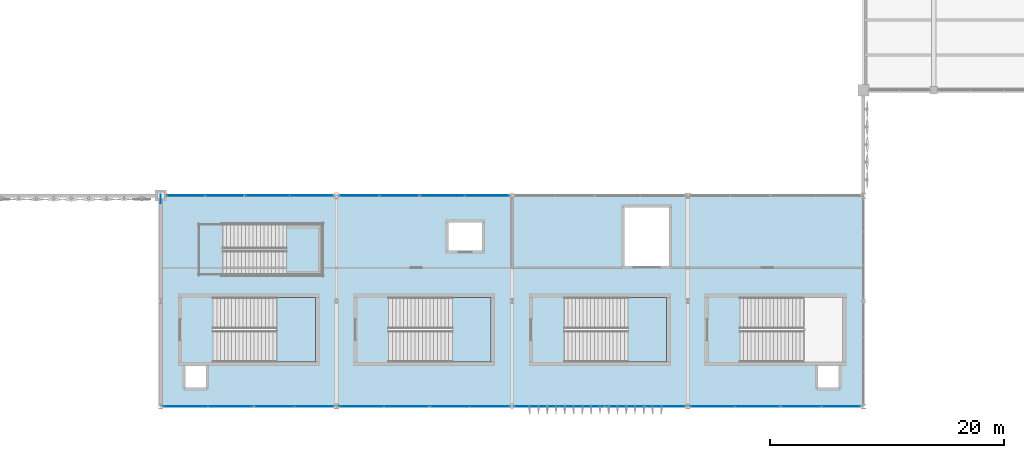
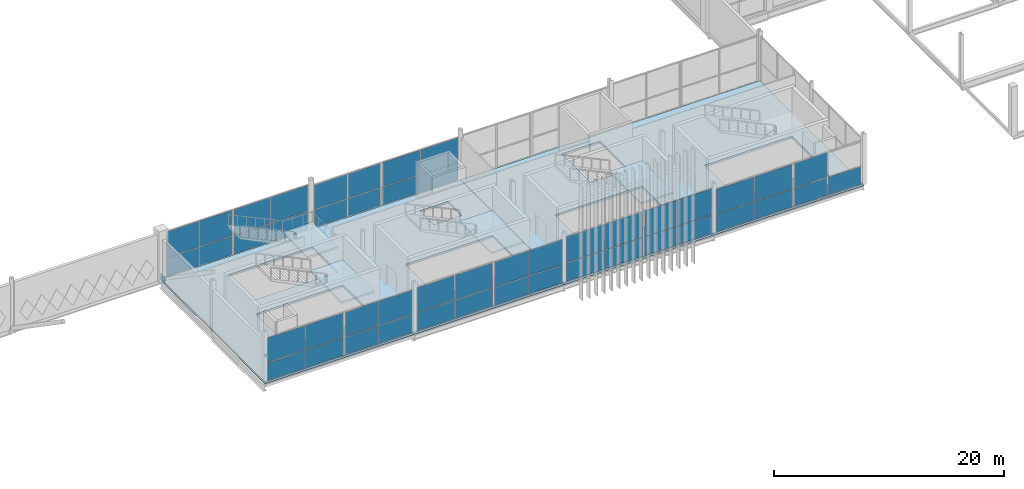
# One storey, part 70 of 119: 48 plates, 6 slabs, 16 elements without a shape of their own.
"""IFC4 building model written with IfcOpenShell, lengths in metres."""

from ifc_helpers import new_model, si_unit, direction, frame, origin, origin_2d, place, context, subcontext, project, spatial, polyline, rectangle, outline, extrude, material, layer, layer_set, type_object, element, aggregate, save


model = new_model("IFC4")

# Units and contexts
model_context = context("Model", 3, precision=1e-05, world=origin(), true_north=direction((0.0, 1.0)))
body_context = subcontext(model_context, "Body", "Model", "MODEL_VIEW")
ifc_project = project(units=[si_unit("LENGTHUNIT", "METRE"), si_unit("AREAUNIT", "SQUARE_METRE"), si_unit("VOLUMEUNIT", "CUBIC_METRE"), si_unit("PLANEANGLEUNIT", "RADIAN"), si_unit("MASSUNIT", "GRAM", prefix="KILO")], contexts=[model_context])

# Site, building, storey
site_placement = place(None, origin())
site = spatial("IfcSite", under=ifc_project, at=site_placement, CompositionType="ELEMENT")
building_placement = place(site_placement, origin())
building = spatial("IfcBuilding", under=site, at=building_placement, Name="Qamarlyn Nura Convention Centre", CompositionType="ELEMENT")
storey_placement = place(building_placement, frame((0.0, 0.0, 5.39990234375)))
storey = spatial("IfcBuildingStorey", under=building, at=storey_placement, Name="L01", CompositionType="ELEMENT", Elevation=5.39990234375)

# Curtain wall, plates
ifc_material_1 = material(Name="Double-silver low-E insulated glass", Category="glass")
ifc_layer_1 = layer(ifc_material_1, 0.179931640625, Name="CW-UNIT-01")
ifc_layer_set_1 = layer_set([ifc_layer_1], Name="Double-silver low-E insulated glass")
curtain_wall_type_1 = type_object("IfcCurtainWallType", Name="CW-UNIT-01", PredefinedType="NOTDEFINED", material=ifc_layer_set_1)
curtain_wall_1_placement = place(storey_placement, origin())
curtain_wall_1 = element("IfcCurtainWall", 1, at=curtain_wall_1_placement, inside=storey, type_object=curtain_wall_type_1, Name="L01 unitised curtain wall V1-INT-S1-1A", PredefinedType="NOTDEFINED")
ifc_layer_2 = layer(ifc_material_1, 0.028076171875, Name="CWP-VIS-28")
ifc_layer_set_2 = layer_set([ifc_layer_2], Name="Double-silver low-E insulated glass")
plate_type_1 = type_object("IfcPlateType", Name="CWP-VIS-28", PredefinedType="CURTAIN_PANEL", material=ifc_layer_set_2)
plate_1_placement = place(storey_placement, frame((62.158203125, 18.0, 0.06494140625), z_axis=(0.0, 0.0, 1.0), x_axis=(1.0, 0.0, 0.0)))
plate_1 = element("IfcPlate", 2, at=plate_1_placement, type_object=plate_type_1, Name="CW01 panel 1.1", PredefinedType="CURTAIN_PANEL", context=body_context, shape_type="SweptSolid", body=[
    extrude(rectangle(XDim=3.236083984375, YDim=0.028076171875, at=origin_2d()), origin(), (0.0, 0.0, 1.0), 1.945556640625),
])
plate_2_placement = place(storey_placement, frame((62.158203125, 18.0, 2.075439453125), z_axis=(0.0, 0.0, 1.0), x_axis=(1.0, 0.0, 0.0)))
plate_2 = element("IfcPlate", 3, at=plate_2_placement, type_object=plate_type_1, Name="CW01 panel 1.2", PredefinedType="CURTAIN_PANEL", context=body_context, shape_type="SweptSolid", body=[
    extrude(rectangle(XDim=3.236083984375, YDim=0.028076171875, at=origin_2d()), origin(), (0.0, 0.0, 1.0), 2.724609375),
])
plate_3_placement = place(storey_placement, frame((65.459228515625, 18.0, 0.06494140625), z_axis=(0.0, 0.0, 1.0), x_axis=(1.0, 0.0, 0.0)))
plate_3 = element("IfcPlate", 4, at=plate_3_placement, type_object=plate_type_1, Name="CW01 panel 2.1", PredefinedType="CURTAIN_PANEL", context=body_context, shape_type="SweptSolid", body=[
    extrude(rectangle(XDim=3.236083984375, YDim=0.028076171875, at=origin_2d()), origin(), (0.0, 0.0, 1.0), 1.945556640625),
])
plate_4_placement = place(storey_placement, frame((65.459228515625, 18.0, 2.075439453125), z_axis=(0.0, 0.0, 1.0), x_axis=(1.0, 0.0, 0.0)))
plate_4 = element("IfcPlate", 5, at=plate_4_placement, type_object=plate_type_1, Name="CW01 panel 2.2", PredefinedType="CURTAIN_PANEL", context=body_context, shape_type="SweptSolid", body=[
    extrude(rectangle(XDim=3.236083984375, YDim=0.028076171875, at=origin_2d()), origin(), (0.0, 0.0, 1.0), 2.724609375),
])
aggregate(curtain_wall_1, [plate_1, plate_2, plate_3, plate_4])

ifc_layer_3 = layer(ifc_material_1, 0.179931640625, Name="CW-UNIT-02")
ifc_layer_set_3 = layer_set([ifc_layer_3], Name="Double-silver low-E insulated glass")
curtain_wall_type_2 = type_object("IfcCurtainWallType", Name="CW-UNIT-02", PredefinedType="NOTDEFINED", material=ifc_layer_set_3)
curtain_wall_2_placement = place(storey_placement, origin())
curtain_wall_2 = element("IfcCurtainWall", 6, at=curtain_wall_2_placement, inside=storey, type_object=curtain_wall_type_2, Name="L01 unitised curtain wall V1-INT-S1-1B", PredefinedType="NOTDEFINED")
plate_5_placement = place(storey_placement, frame((69.118408203125, 18.0, 0.06005859375), z_axis=(0.0, 0.0, 1.0), x_axis=(1.0, 0.0, 0.0)))
plate_5 = element("IfcPlate", 7, at=plate_5_placement, type_object=plate_type_1, Name="CW02 panel 1.1", PredefinedType="CURTAIN_PANEL", context=body_context, shape_type="SweptSolid", body=[
    extrude(rectangle(XDim=3.671875, YDim=0.028076171875, at=origin_2d()), origin(), (0.0, 0.0, 1.0), 1.952880859375),
])
plate_6_placement = place(storey_placement, frame((69.118408203125, 18.0, 2.0732421875), z_axis=(0.0, 0.0, 1.0), x_axis=(1.0, 0.0, 0.0)))
plate_6 = element("IfcPlate", 8, at=plate_6_placement, type_object=plate_type_1, Name="CW02 panel 1.2", PredefinedType="CURTAIN_PANEL", context=body_context, shape_type="SweptSolid", body=[
    extrude(rectangle(XDim=3.671875, YDim=0.028076171875, at=origin_2d()), origin(), (0.0, 0.0, 1.0), 2.73193359375),
])
plate_7_placement = place(storey_placement, frame((72.85009765625, 18.0, 0.06005859375), z_axis=(0.0, 0.0, 1.0), x_axis=(1.0, 0.0, 0.0)))
plate_7 = element("IfcPlate", 9, at=plate_7_placement, type_object=plate_type_1, Name="CW02 panel 2.1", PredefinedType="CURTAIN_PANEL", context=body_context, shape_type="SweptSolid", body=[
    extrude(rectangle(XDim=3.671875, YDim=0.028076171875, at=origin_2d()), origin(), (0.0, 0.0, 1.0), 1.952880859375),
])
plate_8_placement = place(storey_placement, frame((72.85009765625, 18.0, 2.0732421875), z_axis=(0.0, 0.0, 1.0), x_axis=(1.0, 0.0, 0.0)))
plate_8 = element("IfcPlate", 10, at=plate_8_placement, type_object=plate_type_1, Name="CW02 panel 2.2", PredefinedType="CURTAIN_PANEL", context=body_context, shape_type="SweptSolid", body=[
    extrude(rectangle(XDim=3.671875, YDim=0.028076171875, at=origin_2d()), origin(), (0.0, 0.0, 1.0), 2.73193359375),
])
aggregate(curtain_wall_2, [plate_5, plate_6, plate_7, plate_8])

ifc_layer_4 = layer(ifc_material_1, 0.179931640625, Name="CW-UNIT-03")
ifc_layer_set_4 = layer_set([ifc_layer_4], Name="Double-silver low-E insulated glass")
curtain_wall_type_3 = type_object("IfcCurtainWallType", Name="CW-UNIT-03", PredefinedType="NOTDEFINED", material=ifc_layer_set_4)
curtain_wall_3_placement = place(storey_placement, origin())
curtain_wall_3 = element("IfcCurtainWall", 11, at=curtain_wall_3_placement, inside=storey, type_object=curtain_wall_type_3, Name="L01 unitised curtain wall V1-INT-S2-1A", PredefinedType="NOTDEFINED")
plate_9_placement = place(storey_placement, frame((76.97021484375, 18.0, 0.070068359375), z_axis=(0.0, 0.0, 1.0), x_axis=(1.0, 0.0, 0.0)))
plate_9 = element("IfcPlate", 12, at=plate_9_placement, type_object=plate_type_1, Name="CW03 panel 1.1", PredefinedType="CURTAIN_PANEL", context=body_context, shape_type="SweptSolid", body=[
    extrude(rectangle(XDim=3.29248046875, YDim=0.028076171875, at=origin_2d()), origin(), (0.0, 0.0, 1.0), 1.837890625),
])
plate_10_placement = place(storey_placement, frame((76.97021484375, 18.0, 1.97802734375), z_axis=(0.0, 0.0, 1.0), x_axis=(1.0, 0.0, 0.0)))
plate_10 = element("IfcPlate", 13, at=plate_10_placement, type_object=plate_type_1, Name="CW03 panel 1.2", PredefinedType="CURTAIN_PANEL", context=body_context, shape_type="SweptSolid", body=[
    extrude(rectangle(XDim=3.29248046875, YDim=0.028076171875, at=origin_2d()), origin(), (0.0, 0.0, 1.0), 2.577880859375),
])
plate_11_placement = place(storey_placement, frame((80.332763671875, 18.0, 0.070068359375), z_axis=(0.0, 0.0, 1.0), x_axis=(1.0, 0.0, 0.0)))
plate_11 = element("IfcPlate", 14, at=plate_11_placement, type_object=plate_type_1, Name="CW03 panel 2.1", PredefinedType="CURTAIN_PANEL", context=body_context, shape_type="SweptSolid", body=[
    extrude(rectangle(XDim=3.29248046875, YDim=0.028076171875, at=origin_2d()), origin(), (0.0, 0.0, 1.0), 1.837890625),
])
plate_12_placement = place(storey_placement, frame((80.332763671875, 18.0, 1.97802734375), z_axis=(0.0, 0.0, 1.0), x_axis=(1.0, 0.0, 0.0)))
plate_12 = element("IfcPlate", 15, at=plate_12_placement, type_object=plate_type_1, Name="CW03 panel 2.2", PredefinedType="CURTAIN_PANEL", context=body_context, shape_type="SweptSolid", body=[
    extrude(rectangle(XDim=3.29248046875, YDim=0.028076171875, at=origin_2d()), origin(), (0.0, 0.0, 1.0), 2.577880859375),
])
aggregate(curtain_wall_3, [plate_9, plate_10, plate_11, plate_12])

ifc_layer_5 = layer(ifc_material_1, 0.179931640625, Name="CW-UNIT-09")
ifc_layer_set_5 = layer_set([ifc_layer_5], Name="Double-silver low-E insulated glass")
curtain_wall_type_4 = type_object("IfcCurtainWallType", Name="CW-UNIT-09", PredefinedType="NOTDEFINED", material=ifc_layer_set_5)
curtain_wall_4_placement = place(storey_placement, origin())
curtain_wall_4 = element("IfcCurtainWall", 16, at=curtain_wall_4_placement, inside=storey, type_object=curtain_wall_type_4, Name="L01 unitised curtain wall SF-S1-1A", PredefinedType="NOTDEFINED")
plate_13_placement = place(storey_placement, frame((73.089111328125, 0.0, 0.070068359375), z_axis=(0.0, 0.0, 1.0), x_axis=(-1.0, 0.0, 0.0)))
plate_13 = element("IfcPlate", 17, at=plate_13_placement, type_object=plate_type_1, Name="CW09 panel 1.1", PredefinedType="CURTAIN_PANEL", context=body_context, shape_type="SweptSolid", body=[
    extrude(rectangle(XDim=3.312744140625, YDim=0.028076171875, at=origin_2d()), origin(), (0.0, 0.0, 1.0), 1.837890625),
])
plate_14_placement = place(storey_placement, frame((73.089111328125, 0.0, 1.97802734375), z_axis=(0.0, 0.0, 1.0), x_axis=(-1.0, 0.0, 0.0)))
plate_14 = element("IfcPlate", 18, at=plate_14_placement, type_object=plate_type_1, Name="CW09 panel 1.2", PredefinedType="CURTAIN_PANEL", context=body_context, shape_type="SweptSolid", body=[
    extrude(rectangle(XDim=3.312744140625, YDim=0.028076171875, at=origin_2d()), origin(), (0.0, 0.0, 1.0), 2.577880859375),
])
plate_15_placement = place(storey_placement, frame((69.70654296875, 0.0, 0.070068359375), z_axis=(0.0, 0.0, 1.0), x_axis=(-1.0, 0.0, 0.0)))
plate_15 = element("IfcPlate", 19, at=plate_15_placement, type_object=plate_type_1, Name="CW09 panel 2.1", PredefinedType="CURTAIN_PANEL", context=body_context, shape_type="SweptSolid", body=[
    extrude(rectangle(XDim=3.312744140625, YDim=0.028076171875, at=origin_2d()), origin(), (0.0, 0.0, 1.0), 1.837890625),
])
plate_16_placement = place(storey_placement, frame((69.70654296875, 0.0, 1.97802734375), z_axis=(0.0, 0.0, 1.0), x_axis=(-1.0, 0.0, 0.0)))
plate_16 = element("IfcPlate", 20, at=plate_16_placement, type_object=plate_type_1, Name="CW09 panel 2.2", PredefinedType="CURTAIN_PANEL", context=body_context, shape_type="SweptSolid", body=[
    extrude(rectangle(XDim=3.312744140625, YDim=0.028076171875, at=origin_2d()), origin(), (0.0, 0.0, 1.0), 2.577880859375),
])
aggregate(curtain_wall_4, [plate_13, plate_14, plate_15, plate_16])

ifc_layer_6 = layer(ifc_material_1, 0.179931640625, Name="CW-UNIT-10")
ifc_layer_set_6 = layer_set([ifc_layer_6], Name="Double-silver low-E insulated glass")
curtain_wall_type_5 = type_object("IfcCurtainWallType", Name="CW-UNIT-10", PredefinedType="NOTDEFINED", material=ifc_layer_set_6)
curtain_wall_5_placement = place(storey_placement, origin())
curtain_wall_5 = element("IfcCurtainWall", 21, at=curtain_wall_5_placement, inside=storey, type_object=curtain_wall_type_5, Name="L01 unitised curtain wall SF-S1-1B", PredefinedType="NOTDEFINED")
plate_17_placement = place(storey_placement, frame((65.95556640625, 0.0, 0.06494140625), z_axis=(0.0, 0.0, 1.0), x_axis=(-1.0, 0.0, 0.0)))
plate_17 = element("IfcPlate", 22, at=plate_17_placement, type_object=plate_type_1, Name="CW10 panel 1.1", PredefinedType="CURTAIN_PANEL", context=body_context, shape_type="SweptSolid", body=[
    extrude(rectangle(XDim=3.759033203125, YDim=0.028076171875, at=origin_2d()), origin(), (0.0, 0.0, 1.0), 1.845458984375),
])
plate_18_placement = place(storey_placement, frame((65.95556640625, 0.0, 1.9755859375), z_axis=(0.0, 0.0, 1.0), x_axis=(-1.0, 0.0, 0.0)))
plate_18 = element("IfcPlate", 23, at=plate_18_placement, type_object=plate_type_1, Name="CW10 panel 1.2", PredefinedType="CURTAIN_PANEL", context=body_context, shape_type="SweptSolid", body=[
    extrude(rectangle(XDim=3.759033203125, YDim=0.028076171875, at=origin_2d()), origin(), (0.0, 0.0, 1.0), 2.58544921875),
])
plate_19_placement = place(storey_placement, frame((62.131591796875, 0.0, 0.06494140625), z_axis=(0.0, 0.0, 1.0), x_axis=(-1.0, 0.0, 0.0)))
plate_19 = element("IfcPlate", 24, at=plate_19_placement, type_object=plate_type_1, Name="CW10 panel 2.1", PredefinedType="CURTAIN_PANEL", context=body_context, shape_type="SweptSolid", body=[
    extrude(rectangle(XDim=3.759033203125, YDim=0.028076171875, at=origin_2d()), origin(), (0.0, 0.0, 1.0), 1.845458984375),
])
plate_20_placement = place(storey_placement, frame((62.131591796875, 0.0, 1.9755859375), z_axis=(0.0, 0.0, 1.0), x_axis=(-1.0, 0.0, 0.0)))
plate_20 = element("IfcPlate", 25, at=plate_20_placement, type_object=plate_type_1, Name="CW10 panel 2.2", PredefinedType="CURTAIN_PANEL", context=body_context, shape_type="SweptSolid", body=[
    extrude(rectangle(XDim=3.759033203125, YDim=0.028076171875, at=origin_2d()), origin(), (0.0, 0.0, 1.0), 2.58544921875),
])
aggregate(curtain_wall_5, [plate_17, plate_18, plate_19, plate_20])

ifc_layer_7 = layer(ifc_material_1, 0.179931640625, Name="CW-UNIT-11")
ifc_layer_set_7 = layer_set([ifc_layer_7], Name="Double-silver low-E insulated glass")
curtain_wall_type_6 = type_object("IfcCurtainWallType", Name="CW-UNIT-11", PredefinedType="NOTDEFINED", material=ifc_layer_set_7)
curtain_wall_6_placement = place(storey_placement, origin())
curtain_wall_6 = element("IfcCurtainWall", 26, at=curtain_wall_6_placement, inside=storey, type_object=curtain_wall_type_6, Name="L01 unitised curtain wall SF-S2-1A", PredefinedType="NOTDEFINED")
plate_21_placement = place(storey_placement, frame((88.09716796875, 0.0, 0.06005859375), z_axis=(0.0, 0.0, 1.0), x_axis=(-1.0, 0.0, 0.0)))
plate_21 = element("IfcPlate", 27, at=plate_21_placement, type_object=plate_type_1, Name="CW11 panel 1.1", PredefinedType="CURTAIN_PANEL", context=body_context, shape_type="SweptSolid", body=[
    extrude(rectangle(XDim=3.329833984375, YDim=0.028076171875, at=origin_2d()), origin(), (0.0, 0.0, 1.0), 1.884033203125),
])
plate_22_placement = place(storey_placement, frame((88.09716796875, 0.0, 2.00390625), z_axis=(0.0, 0.0, 1.0), x_axis=(-1.0, 0.0, 0.0)))
plate_22 = element("IfcPlate", 28, at=plate_22_placement, type_object=plate_type_1, Name="CW11 panel 1.2", PredefinedType="CURTAIN_PANEL", context=body_context, shape_type="SweptSolid", body=[
    extrude(rectangle(XDim=3.329833984375, YDim=0.028076171875, at=origin_2d()), origin(), (0.0, 0.0, 1.0), 2.635009765625),
])
plate_23_placement = place(storey_placement, frame((84.70751953125, 0.0, 0.06005859375), z_axis=(0.0, 0.0, 1.0), x_axis=(-1.0, 0.0, 0.0)))
plate_23 = element("IfcPlate", 29, at=plate_23_placement, type_object=plate_type_1, Name="CW11 panel 2.1", PredefinedType="CURTAIN_PANEL", context=body_context, shape_type="SweptSolid", body=[
    extrude(rectangle(XDim=3.329833984375, YDim=0.028076171875, at=origin_2d()), origin(), (0.0, 0.0, 1.0), 1.884033203125),
])
plate_24_placement = place(storey_placement, frame((84.70751953125, 0.0, 2.00390625), z_axis=(0.0, 0.0, 1.0), x_axis=(-1.0, 0.0, 0.0)))
plate_24 = element("IfcPlate", 30, at=plate_24_placement, type_object=plate_type_1, Name="CW11 panel 2.2", PredefinedType="CURTAIN_PANEL", context=body_context, shape_type="SweptSolid", body=[
    extrude(rectangle(XDim=3.329833984375, YDim=0.028076171875, at=origin_2d()), origin(), (0.0, 0.0, 1.0), 2.635009765625),
])
aggregate(curtain_wall_6, [plate_21, plate_22, plate_23, plate_24])

ifc_layer_8 = layer(ifc_material_1, 0.179931640625, Name="CW-UNIT-13")
ifc_layer_set_8 = layer_set([ifc_layer_8], Name="Double-silver low-E insulated glass")
curtain_wall_type_7 = type_object("IfcCurtainWallType", Name="CW-UNIT-13", PredefinedType="NOTDEFINED", material=ifc_layer_set_8)
curtain_wall_7_placement = place(storey_placement, origin())
curtain_wall_7 = element("IfcCurtainWall", 31, at=curtain_wall_7_placement, inside=storey, type_object=curtain_wall_type_7, Name="L01 unitised curtain wall SF-S3-1A", PredefinedType="NOTDEFINED")
plate_25_placement = place(storey_placement, frame((103.087158203125, 0.0, 0.06494140625), z_axis=(0.0, 0.0, 1.0), x_axis=(-1.0, 0.0, 0.0)))
plate_25 = element("IfcPlate", 32, at=plate_25_placement, type_object=plate_type_1, Name="CW13 panel 1.1", PredefinedType="CURTAIN_PANEL", context=body_context, shape_type="SweptSolid", body=[
    extrude(rectangle(XDim=3.32177734375, YDim=0.028076171875, at=origin_2d()), origin(), (0.0, 0.0, 1.0), 1.945556640625),
])
plate_26_placement = place(storey_placement, frame((103.087158203125, 0.0, 2.075439453125), z_axis=(0.0, 0.0, 1.0), x_axis=(-1.0, 0.0, 0.0)))
plate_26 = element("IfcPlate", 33, at=plate_26_placement, type_object=plate_type_1, Name="CW13 panel 1.2", PredefinedType="CURTAIN_PANEL", context=body_context, shape_type="SweptSolid", body=[
    extrude(rectangle(XDim=3.32177734375, YDim=0.028076171875, at=origin_2d()), origin(), (0.0, 0.0, 1.0), 2.724609375),
])
plate_27_placement = place(storey_placement, frame((99.700439453125, 0.0, 0.06494140625), z_axis=(0.0, 0.0, 1.0), x_axis=(-1.0, 0.0, 0.0)))
plate_27 = element("IfcPlate", 34, at=plate_27_placement, type_object=plate_type_1, Name="CW13 panel 2.1", PredefinedType="CURTAIN_PANEL", context=body_context, shape_type="SweptSolid", body=[
    extrude(rectangle(XDim=3.32177734375, YDim=0.028076171875, at=origin_2d()), origin(), (0.0, 0.0, 1.0), 1.945556640625),
])
plate_28_placement = place(storey_placement, frame((99.700439453125, 0.0, 2.075439453125), z_axis=(0.0, 0.0, 1.0), x_axis=(-1.0, 0.0, 0.0)))
plate_28 = element("IfcPlate", 35, at=plate_28_placement, type_object=plate_type_1, Name="CW13 panel 2.2", PredefinedType="CURTAIN_PANEL", context=body_context, shape_type="SweptSolid", body=[
    extrude(rectangle(XDim=3.32177734375, YDim=0.028076171875, at=origin_2d()), origin(), (0.0, 0.0, 1.0), 2.724609375),
])
aggregate(curtain_wall_7, [plate_25, plate_26, plate_27, plate_28])

ifc_layer_9 = layer(ifc_material_1, 0.179931640625, Name="CW-UNIT-14")
ifc_layer_set_9 = layer_set([ifc_layer_9], Name="Double-silver low-E insulated glass")
curtain_wall_type_8 = type_object("IfcCurtainWallType", Name="CW-UNIT-14", PredefinedType="NOTDEFINED", material=ifc_layer_set_9)
curtain_wall_8_placement = place(storey_placement, origin())
curtain_wall_8 = element("IfcCurtainWall", 36, at=curtain_wall_8_placement, inside=storey, type_object=curtain_wall_type_8, Name="L01 unitised curtain wall SF-S3-1B", PredefinedType="NOTDEFINED")
plate_29_placement = place(storey_placement, frame((95.950439453125, 0.0, 0.06005859375), z_axis=(0.0, 0.0, 1.0), x_axis=(-1.0, 0.0, 0.0)))
plate_29 = element("IfcPlate", 37, at=plate_29_placement, type_object=plate_type_1, Name="CW14 panel 1.1", PredefinedType="CURTAIN_PANEL", context=body_context, shape_type="SweptSolid", body=[
    extrude(rectangle(XDim=3.768310546875, YDim=0.028076171875, at=origin_2d()), origin(), (0.0, 0.0, 1.0), 1.952880859375),
])
plate_30_placement = place(storey_placement, frame((95.950439453125, 0.0, 2.0732421875), z_axis=(0.0, 0.0, 1.0), x_axis=(-1.0, 0.0, 0.0)))
plate_30 = element("IfcPlate", 38, at=plate_30_placement, type_object=plate_type_1, Name="CW14 panel 1.2", PredefinedType="CURTAIN_PANEL", context=body_context, shape_type="SweptSolid", body=[
    extrude(rectangle(XDim=3.768310546875, YDim=0.028076171875, at=origin_2d()), origin(), (0.0, 0.0, 1.0), 2.73193359375),
])
plate_31_placement = place(storey_placement, frame((92.1220703125, 0.0, 0.06005859375), z_axis=(0.0, 0.0, 1.0), x_axis=(-1.0, 0.0, 0.0)))
plate_31 = element("IfcPlate", 39, at=plate_31_placement, type_object=plate_type_1, Name="CW14 panel 2.1", PredefinedType="CURTAIN_PANEL", context=body_context, shape_type="SweptSolid", body=[
    extrude(rectangle(XDim=3.768310546875, YDim=0.028076171875, at=origin_2d()), origin(), (0.0, 0.0, 1.0), 1.952880859375),
])
plate_32_placement = place(storey_placement, frame((92.1220703125, 0.0, 2.0732421875), z_axis=(0.0, 0.0, 1.0), x_axis=(-1.0, 0.0, 0.0)))
plate_32 = element("IfcPlate", 40, at=plate_32_placement, type_object=plate_type_1, Name="CW14 panel 2.2", PredefinedType="CURTAIN_PANEL", context=body_context, shape_type="SweptSolid", body=[
    extrude(rectangle(XDim=3.768310546875, YDim=0.028076171875, at=origin_2d()), origin(), (0.0, 0.0, 1.0), 2.73193359375),
])
aggregate(curtain_wall_8, [plate_29, plate_30, plate_31, plate_32])

curtain_wall_9_placement = place(storey_placement, origin())
curtain_wall_9 = element("IfcCurtainWall", 41, at=curtain_wall_9_placement, inside=storey, type_object=curtain_wall_type_4, Name="L01 unitised curtain wall SF-S4-1A", PredefinedType="NOTDEFINED")
plate_33_placement = place(storey_placement, frame((118.089111328125, 0.0, 0.070068359375), z_axis=(0.0, 0.0, 1.0), x_axis=(-1.0, 0.0, 0.0)))
plate_33 = element("IfcPlate", 42, at=plate_33_placement, type_object=plate_type_1, Name="CW09 panel 1.1", PredefinedType="CURTAIN_PANEL", context=body_context, shape_type="SweptSolid", body=[
    extrude(rectangle(XDim=3.312744140625, YDim=0.028076171875, at=origin_2d()), origin(), (0.0, 0.0, 1.0), 1.837890625),
])
plate_34_placement = place(storey_placement, frame((114.70654296875, 0.0, 0.070068359375), z_axis=(0.0, 0.0, 1.0), x_axis=(-1.0, 0.0, 0.0)))
plate_34 = element("IfcPlate", 43, at=plate_34_placement, type_object=plate_type_1, Name="CW09 panel 2.1", PredefinedType="CURTAIN_PANEL", context=body_context, shape_type="SweptSolid", body=[
    extrude(rectangle(XDim=3.312744140625, YDim=0.028076171875, at=origin_2d()), origin(), (0.0, 0.0, 1.0), 1.837890625),
])
plate_35_placement = place(storey_placement, frame((114.70654296875, 0.0, 1.97802734375), z_axis=(0.0, 0.0, 1.0), x_axis=(-1.0, 0.0, 0.0)))
plate_35 = element("IfcPlate", 44, at=plate_35_placement, type_object=plate_type_1, Name="CW09 panel 2.2", PredefinedType="CURTAIN_PANEL", context=body_context, shape_type="SweptSolid", body=[
    extrude(rectangle(XDim=3.312744140625, YDim=0.028076171875, at=origin_2d()), origin(), (0.0, 0.0, 1.0), 2.577880859375),
])
aggregate(curtain_wall_9, [plate_33, plate_34, plate_35])

ifc_layer_10 = layer(ifc_material_1, 0.179931640625, Name="CW-UNIT-04")
ifc_layer_set_10 = layer_set([ifc_layer_10], Name="Double-silver low-E insulated glass")
curtain_wall_type_9 = type_object("IfcCurtainWallType", Name="CW-UNIT-04", PredefinedType="NOTDEFINED", material=ifc_layer_set_10)
curtain_wall_10_placement = place(storey_placement, origin())
curtain_wall_10 = element("IfcCurtainWall", 45, at=curtain_wall_10_placement, inside=storey, type_object=curtain_wall_type_9, Name="L01 unitised curtain wall V1-INT-S2-1B", PredefinedType="NOTDEFINED")
ifc_layer_11 = layer(ifc_material_1, 0.031982421875, Name="CWP-VIS-32")
ifc_layer_set_11 = layer_set([ifc_layer_11], Name="Double-silver low-E insulated glass")
plate_type_2 = type_object("IfcPlateType", Name="CWP-VIS-32", PredefinedType="CURTAIN_PANEL", material=ifc_layer_set_11)
plate_36_placement = place(storey_placement, frame((84.062255859375, 18.0, 0.06494140625), z_axis=(0.0, 0.0, 1.0), x_axis=(1.0, 0.0, 0.0)))
plate_36 = element("IfcPlate", 46, at=plate_36_placement, type_object=plate_type_2, Name="CW04 panel 1.1", PredefinedType="CURTAIN_PANEL", context=body_context, shape_type="SweptSolid", body=[
    extrude(rectangle(XDim=3.736328125, YDim=0.031982421875, at=origin_2d()), origin(), (0.0, 0.0, 1.0), 1.845458984375),
])
plate_37_placement = place(storey_placement, frame((84.062255859375, 18.0, 1.9755859375), z_axis=(0.0, 0.0, 1.0), x_axis=(1.0, 0.0, 0.0)))
plate_37 = element("IfcPlate", 47, at=plate_37_placement, type_object=plate_type_2, Name="CW04 panel 1.2", PredefinedType="CURTAIN_PANEL", context=body_context, shape_type="SweptSolid", body=[
    extrude(rectangle(XDim=3.736328125, YDim=0.031982421875, at=origin_2d()), origin(), (0.0, 0.0, 1.0), 2.58544921875),
])
plate_38_placement = place(storey_placement, frame((87.863525390625, 18.0, 0.06494140625), z_axis=(0.0, 0.0, 1.0), x_axis=(1.0, 0.0, 0.0)))
plate_38 = element("IfcPlate", 48, at=plate_38_placement, type_object=plate_type_2, Name="CW04 panel 2.1", PredefinedType="CURTAIN_PANEL", context=body_context, shape_type="SweptSolid", body=[
    extrude(rectangle(XDim=3.736328125, YDim=0.031982421875, at=origin_2d()), origin(), (0.0, 0.0, 1.0), 1.845458984375),
])
plate_39_placement = place(storey_placement, frame((87.863525390625, 18.0, 1.9755859375), z_axis=(0.0, 0.0, 1.0), x_axis=(1.0, 0.0, 0.0)))
plate_39 = element("IfcPlate", 49, at=plate_39_placement, type_object=plate_type_2, Name="CW04 panel 2.2", PredefinedType="CURTAIN_PANEL", context=body_context, shape_type="SweptSolid", body=[
    extrude(rectangle(XDim=3.736328125, YDim=0.031982421875, at=origin_2d()), origin(), (0.0, 0.0, 1.0), 2.58544921875),
])
aggregate(curtain_wall_10, [plate_36, plate_37, plate_38, plate_39])

ifc_layer_12 = layer(ifc_material_1, 0.179931640625, Name="CW-UNIT-12")
ifc_layer_set_12 = layer_set([ifc_layer_12], Name="Double-silver low-E insulated glass")
curtain_wall_type_10 = type_object("IfcCurtainWallType", Name="CW-UNIT-12", PredefinedType="NOTDEFINED", material=ifc_layer_set_12)
curtain_wall_11_placement = place(storey_placement, origin())
curtain_wall_11 = element("IfcCurtainWall", 50, at=curtain_wall_11_placement, inside=storey, type_object=curtain_wall_type_10, Name="L01 unitised curtain wall SF-S2-1B", PredefinedType="NOTDEFINED")
plate_40_placement = place(storey_placement, frame((80.95556640625, 0.0, 0.0703125), z_axis=(0.0, 0.0, 1.0), x_axis=(-1.0, 0.0, 0.0)))
plate_40 = element("IfcPlate", 51, at=plate_40_placement, type_object=plate_type_2, Name="CW12 panel 1.1", PredefinedType="CURTAIN_PANEL", context=body_context, shape_type="SweptSolid", body=[
    extrude(rectangle(XDim=3.75390625, YDim=0.031982421875, at=origin_2d()), origin(), (0.0, 0.0, 1.0), 1.868896484375),
])
plate_41_placement = place(storey_placement, frame((80.95556640625, 0.0, 2.009033203125), z_axis=(0.0, 0.0, 1.0), x_axis=(-1.0, 0.0, 0.0)))
plate_41 = element("IfcPlate", 52, at=plate_41_placement, type_object=plate_type_2, Name="CW12 panel 1.2", PredefinedType="CURTAIN_PANEL", context=body_context, shape_type="SweptSolid", body=[
    extrude(rectangle(XDim=3.75390625, YDim=0.031982421875, at=origin_2d()), origin(), (0.0, 0.0, 1.0), 2.6201171875),
])
plate_42_placement = place(storey_placement, frame((77.131591796875, 0.0, 0.0703125), z_axis=(0.0, 0.0, 1.0), x_axis=(-1.0, 0.0, 0.0)))
plate_42 = element("IfcPlate", 53, at=plate_42_placement, type_object=plate_type_2, Name="CW12 panel 2.1", PredefinedType="CURTAIN_PANEL", context=body_context, shape_type="SweptSolid", body=[
    extrude(rectangle(XDim=3.75390625, YDim=0.031982421875, at=origin_2d()), origin(), (0.0, 0.0, 1.0), 1.868896484375),
])
plate_43_placement = place(storey_placement, frame((77.131591796875, 0.0, 2.009033203125), z_axis=(0.0, 0.0, 1.0), x_axis=(-1.0, 0.0, 0.0)))
plate_43 = element("IfcPlate", 54, at=plate_43_placement, type_object=plate_type_2, Name="CW12 panel 2.2", PredefinedType="CURTAIN_PANEL", context=body_context, shape_type="SweptSolid", body=[
    extrude(rectangle(XDim=3.75390625, YDim=0.031982421875, at=origin_2d()), origin(), (0.0, 0.0, 1.0), 2.6201171875),
])
aggregate(curtain_wall_11, [plate_40, plate_41, plate_42, plate_43])

curtain_wall_12_placement = place(storey_placement, origin())
curtain_wall_12 = element("IfcCurtainWall", 55, at=curtain_wall_12_placement, inside=storey, type_object=curtain_wall_type_5, Name="L01 unitised curtain wall SF-S4-1B", PredefinedType="NOTDEFINED")
plate_44_placement = place(storey_placement, frame((110.95556640625, 0.0, 0.06494140625), z_axis=(0.0, 0.0, 1.0), x_axis=(-1.0, 0.0, 0.0)))
plate_44 = element("IfcPlate", 56, at=plate_44_placement, type_object=plate_type_2, Name="CW10 panel 1.1", PredefinedType="CURTAIN_PANEL", context=body_context, shape_type="SweptSolid", body=[
    extrude(rectangle(XDim=3.759033203125, YDim=0.031982421875, at=origin_2d()), origin(), (0.0, 0.0, 1.0), 1.845458984375),
])
plate_45_placement = place(storey_placement, frame((110.95556640625, 0.0, 1.9755859375), z_axis=(0.0, 0.0, 1.0), x_axis=(-1.0, 0.0, 0.0)))
plate_45 = element("IfcPlate", 57, at=plate_45_placement, type_object=plate_type_2, Name="CW10 panel 1.2", PredefinedType="CURTAIN_PANEL", context=body_context, shape_type="SweptSolid", body=[
    extrude(rectangle(XDim=3.759033203125, YDim=0.031982421875, at=origin_2d()), origin(), (0.0, 0.0, 1.0), 2.58544921875),
])
plate_46_placement = place(storey_placement, frame((107.131591796875, 0.0, 0.06494140625), z_axis=(0.0, 0.0, 1.0), x_axis=(-1.0, 0.0, 0.0)))
plate_46 = element("IfcPlate", 58, at=plate_46_placement, type_object=plate_type_2, Name="CW10 panel 2.1", PredefinedType="CURTAIN_PANEL", context=body_context, shape_type="SweptSolid", body=[
    extrude(rectangle(XDim=3.759033203125, YDim=0.031982421875, at=origin_2d()), origin(), (0.0, 0.0, 1.0), 1.845458984375),
])
plate_47_placement = place(storey_placement, frame((107.131591796875, 0.0, 1.9755859375), z_axis=(0.0, 0.0, 1.0), x_axis=(-1.0, 0.0, 0.0)))
plate_47 = element("IfcPlate", 59, at=plate_47_placement, type_object=plate_type_2, Name="CW10 panel 2.2", PredefinedType="CURTAIN_PANEL", context=body_context, shape_type="SweptSolid", body=[
    extrude(rectangle(XDim=3.759033203125, YDim=0.031982421875, at=origin_2d()), origin(), (0.0, 0.0, 1.0), 2.58544921875),
])
aggregate(curtain_wall_12, [plate_44, plate_45, plate_46, plate_47])

# Plate
ifc_material_2 = material(Name="Structural steel ASTM A572 Grade 50", Category="steel")
ifc_layer_13 = layer(ifc_material_2, 0.035888671875, Name="GP-SN1")
ifc_layer_set_13 = layer_set([ifc_layer_13], Name="Structural steel ASTM A572 Grade 50")
plate_type_3 = type_object("IfcPlateType", Name="GP-SN1", PredefinedType="USERDEFINED", material=ifc_layer_set_13)
plate_48_placement = place(storey_placement, frame((60.0, 17.719970703125, -0.1669921875), z_axis=(0.0, 0.0, 1.0), x_axis=(0.0, 1.0, 0.0)))
element("IfcPlate", 60, at=plate_48_placement, inside=storey, type_object=plate_type_3, Name="Tree strut gusset plate S-6-B", ObjectType="GUSSET PLATE", PredefinedType="USERDEFINED", context=body_context, shape_type="SweptSolid", body=[
    extrude(rectangle(XDim=0.719970703125, YDim=0.035888671875, at=origin_2d()), origin(), (0.0, 0.0, 1.0), 0.719970703125),
])

# Slabs
ifc_material_3 = material(Name="Concrete C40/50", Category="concrete")
ifc_layer_14 = layer(ifc_material_3, 0.219970703125, Name="SL-L01")
ifc_layer_set_14 = layer_set([ifc_layer_14], Name="Concrete C40/50")
slab_type_1 = type_object("IfcSlabType", Name="SL-L01", PredefinedType="FLOOR", material=ifc_layer_set_14)
slab_1_placement = place(storey_placement, frame((0.0, 0.0, -0.219970703125)))
element("IfcSlab", 61, at=slab_1_placement, inside=storey, type_object=slab_type_1, Name="L01 floor slab L01-SF1", PredefinedType="FLOOR", context=body_context, shape_type="SweptSolid", body=[
    extrude(outline(polyline([(60.0, 18.0), (90.0, 18.0), (90.0, 0.0), (60.0, 0.0), (60.0, 18.0)]), holes=[polyline([(62.0, 3.5), (62.0, 1.5), (64.0, 1.5), (64.0, 3.5), (62.0, 3.5)]), polyline([(64.4599609375, 3.800048828125), (73.199951171875, 3.800048828125), (73.199951171875, 9.300048828125), (64.4599609375, 9.300048828125), (64.4599609375, 3.800048828125)]), polyline([(79.4599609375, 3.800048828125), (88.199951171875, 3.800048828125), (88.199951171875, 9.300048828125), (79.4599609375, 9.300048828125), (79.4599609375, 3.800048828125)]), polyline([(65.300048828125, 11.199951171875), (73.800048828125, 11.199951171875), (73.800048828125, 15.580078125), (65.300048828125, 15.580078125), (65.300048828125, 11.199951171875)]), polyline([(87.425048828125, 13.300048828125), (87.425048828125, 15.699951171875), (84.574951171875, 15.699951171875), (84.574951171875, 13.300048828125), (87.425048828125, 13.300048828125)])]), origin(), (0.0, 0.0, 1.0), 0.219970703125),
])
slab_2_placement = place(storey_placement, frame((0.0, 0.0, -0.219970703125)))
element("IfcSlab", 62, at=slab_2_placement, inside=storey, type_object=slab_type_1, Name="L01 floor slab L01-SF2", PredefinedType="FLOOR", context=body_context, shape_type="SweptSolid", body=[
    extrude(outline(polyline([(90.0, 18.0), (120.0, 18.0), (120.0, 0.0), (90.0, 0.0), (90.0, 18.0)]), holes=[polyline([(116.0, 3.5), (116.0, 1.5), (118.0, 1.5), (118.0, 3.5), (116.0, 3.5)]), polyline([(94.4599609375, 3.800048828125), (103.199951171875, 3.800048828125), (103.199951171875, 9.300048828125), (94.4599609375, 9.300048828125), (94.4599609375, 3.800048828125)]), polyline([(109.4599609375, 9.300048828125), (109.4599609375, 3.800048828125), (118.199951171875, 3.800048828125), (118.199951171875, 9.300048828125), (109.4599609375, 9.300048828125)]), polyline([(103.39990234375, 12.0), (103.39990234375, 17.0), (99.60009765625, 17.0), (99.60009765625, 12.0), (103.39990234375, 12.0)])]), origin(), (0.0, 0.0, 1.0), 0.219970703125),
])

# Stair, slab
stair_type_1 = type_object("IfcStairType", Name="STAIR-EXIT-54", PredefinedType="HALF_TURN_STAIR", material=ifc_material_3)
stair_1_placement = place(storey_placement, origin())
stair_1 = element("IfcStair", 63, at=stair_1_placement, inside=storey, type_object=stair_type_1, Name="L01 Enclosed exit stair ST-05", PredefinedType="HALF_TURN_STAIR")
ifc_layer_15 = layer(ifc_material_3, 0.199951171875, Name="SL-LAND-200")
ifc_layer_set_15 = layer_set([ifc_layer_15], Name="Concrete C40/50")
slab_type_2 = type_object("IfcSlabType", Name="SL-LAND-200", PredefinedType="LANDING", material=ifc_layer_set_15)
slab_3_placement = place(storey_placement, frame((0.0, 0.0, 2.5)))
slab_3 = element("IfcSlab", 64, at=slab_3_placement, type_object=slab_type_2, Name="ST-05 landing 1", PredefinedType="LANDING", context=body_context, shape_type="SweptSolid", body=[
    extrude(outline(polyline([(69.89990234375, 3.800048828125), (73.199951171875, 3.800048828125), (73.199951171875, 9.300048828125), (69.89990234375, 9.300048828125), (69.89990234375, 3.800048828125)])), origin(), (0.0, 0.0, 1.0), 0.2001953125),
])
aggregate(stair_1, [slab_3])

stair_2_placement = place(storey_placement, origin())
stair_2 = element("IfcStair", 65, at=stair_2_placement, inside=storey, type_object=stair_type_1, Name="L01 Enclosed exit stair ST-06", PredefinedType="HALF_TURN_STAIR")
slab_4_placement = place(storey_placement, frame((0.0, 0.0, 2.5)))
slab_4 = element("IfcSlab", 66, at=slab_4_placement, type_object=slab_type_2, Name="ST-06 landing 1", PredefinedType="LANDING", context=body_context, shape_type="SweptSolid", body=[
    extrude(outline(polyline([(84.89990234375, 3.800048828125), (88.199951171875, 3.800048828125), (88.199951171875, 9.300048828125), (84.89990234375, 9.300048828125), (84.89990234375, 3.800048828125)])), origin(), (0.0, 0.0, 1.0), 0.2001953125),
])
aggregate(stair_2, [slab_4])

stair_3_placement = place(storey_placement, origin())
stair_3 = element("IfcStair", 67, at=stair_3_placement, inside=storey, type_object=stair_type_1, Name="L01 Enclosed exit stair ST-07", PredefinedType="HALF_TURN_STAIR")
slab_5_placement = place(storey_placement, frame((0.0, 0.0, 2.5)))
slab_5 = element("IfcSlab", 68, at=slab_5_placement, type_object=slab_type_2, Name="ST-07 landing 1", PredefinedType="LANDING", context=body_context, shape_type="SweptSolid", body=[
    extrude(outline(polyline([(99.89990234375, 3.800048828125), (103.199951171875, 3.800048828125), (103.199951171875, 9.300048828125), (99.89990234375, 9.300048828125), (99.89990234375, 3.800048828125)])), origin(), (0.0, 0.0, 1.0), 0.2001953125),
])
aggregate(stair_3, [slab_5])

stair_type_2 = type_object("IfcStairType", Name="STAIR-FOY1-54", PredefinedType="HALF_TURN_STAIR", material=ifc_material_3)
stair_4_placement = place(storey_placement, origin())
stair_4 = element("IfcStair", 69, at=stair_4_placement, inside=storey, type_object=stair_type_2, Name="L01 Foyer feature stair ST-19", PredefinedType="HALF_TURN_STAIR")
slab_6_placement = place(storey_placement, frame((0.0, 0.0, 2.5)))
slab_6 = element("IfcSlab", 70, at=slab_6_placement, type_object=slab_type_2, Name="ST-19 landing 1", PredefinedType="LANDING", context=body_context, shape_type="SweptSolid", body=[
    extrude(outline(polyline([(70.739990234375, 11.199951171875), (73.800048828125, 11.199951171875), (73.800048828125, 15.580078125), (70.739990234375, 15.580078125), (70.739990234375, 11.199951171875)])), origin(), (0.0, 0.0, 1.0), 0.2001953125),
])
aggregate(stair_4, [slab_6])

save(model, "model.ifc")
